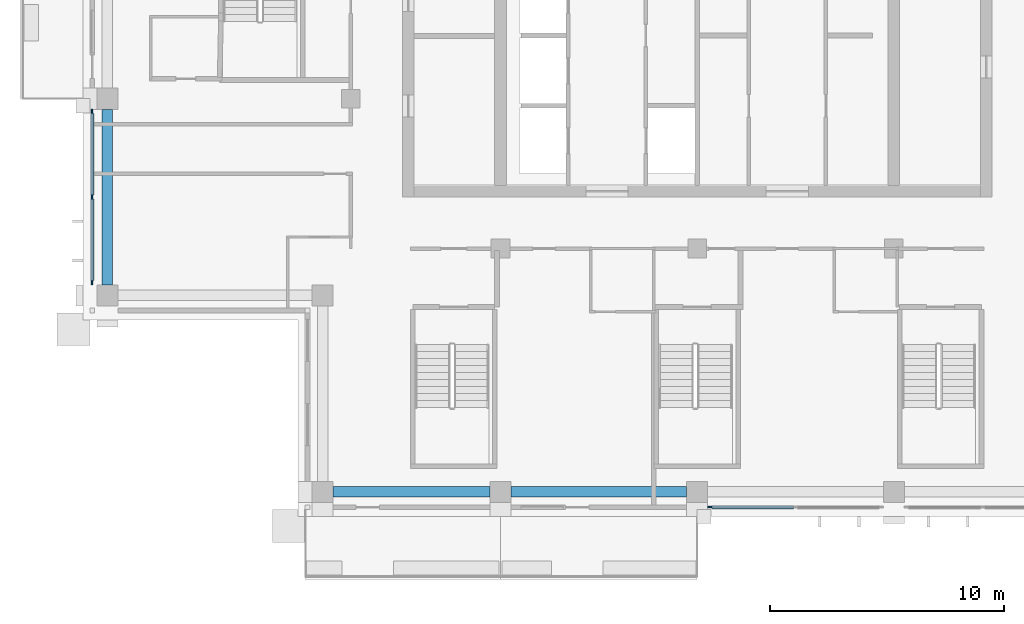
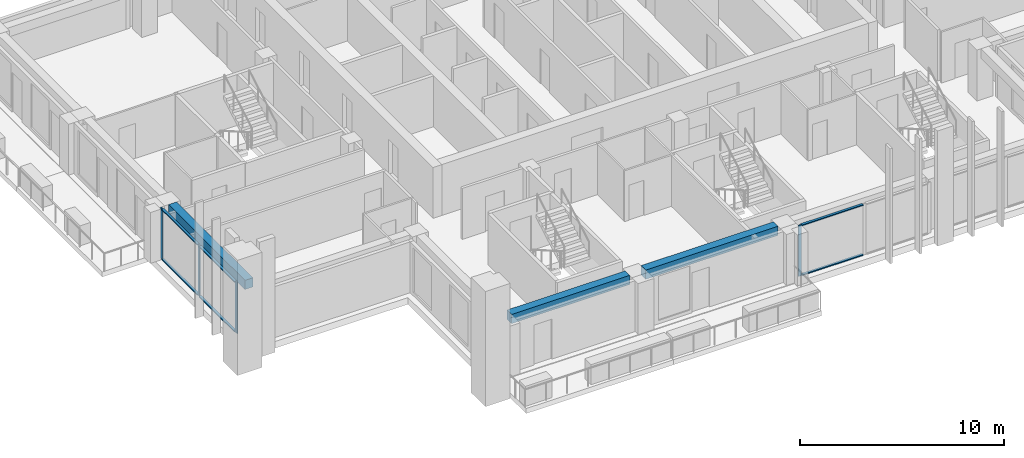
# One storey, part 2 of 16: 10 members, 3 beams, 2 elements without a shape of their own.
"""IFC4 building model written with IfcOpenShell, lengths in metres."""

from ifc_helpers import new_model, si_unit, direction, frame, origin, origin_2d, place, context, subcontext, project, spatial, rectangle, extrude, material, material_profile, profile_set, type_object, element, aggregate, save


model = new_model("IFC4")

# Units and contexts
model_context = context("Model", 3, precision=1e-05, world=origin(), true_north=direction((0.0, 1.0)))
body_context = subcontext(model_context, "Body", "Model", "MODEL_VIEW")
ifc_project = project(units=[si_unit("LENGTHUNIT", "METRE"), si_unit("AREAUNIT", "SQUARE_METRE"), si_unit("VOLUMEUNIT", "CUBIC_METRE"), si_unit("PLANEANGLEUNIT", "RADIAN"), si_unit("MASSUNIT", "GRAM", prefix="KILO")], contexts=[model_context])

# Site, building, storey
site_placement = place(None, origin())
site = spatial("IfcSite", under=ifc_project, at=site_placement, CompositionType="ELEMENT")
building_placement = place(site_placement, origin())
building = spatial("IfcBuilding", under=site, at=building_placement, Name="Vermilion Ogive Tower", CompositionType="ELEMENT")
storey_placement = place(building_placement, frame((0.0, 0.0, 247.60009765625)))
storey = spatial("IfcBuildingStorey", under=building, at=storey_placement, Name="L65", CompositionType="ELEMENT", Elevation=247.60009765625)

# Curtain wall, member
ifc_material_1 = material(Name="Low-iron laminated glazing in aluminium frame", Category="aluminium")
curtain_wall_type = type_object("IfcCurtainWallType", Name="Curtain wall CW7", PredefinedType="NOTDEFINED", material=ifc_material_1)
curtain_wall_1_placement = place(storey_placement, origin())
curtain_wall_1 = element("IfcCurtainWall", 1, at=curtain_wall_1_placement, inside=storey, type_object=curtain_wall_type, Name="Glazed skin S3", PredefinedType="NOTDEFINED")
ifc_material_2 = material(Name="Aluminium mullion", Category="aluminium")
ifc_material_profile_1 = material_profile(ifc_material_2, rectangle(XDim=0.06005859375, YDim=0.179931640625, at=origin_2d()), Name="AL 60x180")
ifc_profile_set_1 = profile_set([ifc_material_profile_1], Name="Aluminium mullion")
member_type_1 = type_object("IfcMemberType", Name="CW7 mullion 60x180", PredefinedType="MULLION", material=ifc_profile_set_1)
member_1_placement = place(storey_placement, frame((0.5400390625, -21.64990234375, 0.0), z_axis=(0.0, 0.0, 1.0), x_axis=(0.0, 1.0, 0.0)))
member_1 = element("IfcMember", 2, at=member_1_placement, type_object=member_type_1, Name="CW7-S3 mullion 1", PredefinedType="MULLION", context=body_context, shape_type="SweptSolid", body=[
    extrude(rectangle(XDim=0.06005859375, YDim=0.179931640625, at=origin_2d()), origin(), (0.0, 0.0, 1.0), 3.0498046875),
])

# Curtain wall, members
curtain_wall_2_placement = place(storey_placement, origin())
curtain_wall_2 = element("IfcCurtainWall", 3, at=curtain_wall_2_placement, inside=storey, type_object=curtain_wall_type, Name="Glazed skin W3", PredefinedType="NOTDEFINED")
member_2_placement = place(storey_placement, frame((-25.85009765625, -4.739990234375, 0.0), z_axis=(0.0, 0.0, 1.0), x_axis=(1.0, 0.0, 0.0)))
member_2 = element("IfcMember", 4, at=member_2_placement, type_object=member_type_1, Name="CW7-W3 mullion 1", PredefinedType="MULLION", context=body_context, shape_type="SweptSolid", body=[
    extrude(rectangle(XDim=0.06005859375, YDim=0.179931640625, at=origin_2d()), origin(), (0.0, 0.0, 1.0), 3.0498046875),
])
member_3_placement = place(storey_placement, frame((-25.85009765625, -8.39990234375, 0.0), z_axis=(0.0, 0.0, 1.0), x_axis=(1.0, 0.0, 0.0)))
member_3 = element("IfcMember", 5, at=member_3_placement, type_object=member_type_1, Name="CW7-W3 mullion 2", PredefinedType="MULLION", context=body_context, shape_type="SweptSolid", body=[
    extrude(rectangle(XDim=0.06005859375, YDim=0.179931640625, at=origin_2d()), origin(), (0.0, 0.0, 1.0), 3.0498046875),
])
member_4_placement = place(storey_placement, frame((-25.85009765625, -12.06005859375, 0.0), z_axis=(0.0, 0.0, 1.0), x_axis=(1.0, 0.0, 0.0)))
member_4 = element("IfcMember", 6, at=member_4_placement, type_object=member_type_1, Name="CW7-W3 mullion 3", PredefinedType="MULLION", context=body_context, shape_type="SweptSolid", body=[
    extrude(rectangle(XDim=0.06005859375, YDim=0.179931640625, at=origin_2d()), origin(), (0.0, 0.0, 1.0), 3.0498046875),
])

# Member
ifc_material_3 = material(Name="Aluminium transom", Category="aluminium")
ifc_material_profile_2 = material_profile(ifc_material_3, rectangle(XDim=0.139892578125, YDim=0.06005859375, at=origin_2d()), Name="AL 60x140")
ifc_profile_set_2 = profile_set([ifc_material_profile_2], Name="Aluminium transom")
member_type_2 = type_object("IfcMemberType", Name="CW7 transom 60x140", PredefinedType="USERDEFINED", material=ifc_profile_set_2)
member_5_placement = place(storey_placement, frame((0.6298828125, -21.64990234375, 0.02978515625), z_axis=(1.0, 0.0, 0.0), x_axis=(0.0, 1.0, 0.0)))
member_5 = element("IfcMember", 7, at=member_5_placement, type_object=member_type_2, Name="CW7-S3 transom 1.1", ObjectType="TRANSOM", PredefinedType="USERDEFINED", context=body_context, shape_type="SweptSolid", body=[
    extrude(rectangle(XDim=0.139892578125, YDim=0.06005859375, at=origin_2d()), origin(), (0.0, 0.0, 1.0), 3.480224609375),
])

member_6_placement = place(storey_placement, frame((0.6298828125, -21.64990234375, 3.02001953125), z_axis=(1.0, 0.0, 0.0), x_axis=(0.0, 1.0, 0.0)))
member_6 = element("IfcMember", 8, at=member_6_placement, type_object=member_type_2, Name="CW7-S3 transom 1.2", ObjectType="TRANSOM", PredefinedType="USERDEFINED", context=body_context, shape_type="SweptSolid", body=[
    extrude(rectangle(XDim=0.139892578125, YDim=0.06005859375, at=origin_2d()), origin(), (0.0, 0.0, 1.0), 3.480224609375),
])

aggregate(curtain_wall_1, [member_1, member_5, member_6])

member_7_placement = place(storey_placement, frame((-25.85009765625, -4.830078125, 0.02978515625), z_axis=(0.0, -1.0, 0.0), x_axis=(1.0, 0.0, 0.0)))
member_7 = element("IfcMember", 9, at=member_7_placement, type_object=member_type_2, Name="CW7-W3 transom 1.1", ObjectType="TRANSOM", PredefinedType="USERDEFINED", context=body_context, shape_type="SweptSolid", body=[
    extrude(rectangle(XDim=0.139892578125, YDim=0.06005859375, at=origin_2d()), origin(), (0.0, 0.0, 1.0), 3.47998046875),
])

member_8_placement = place(storey_placement, frame((-25.85009765625, -4.830078125, 3.02001953125), z_axis=(0.0, -1.0, 0.0), x_axis=(1.0, 0.0, 0.0)))
member_8 = element("IfcMember", 10, at=member_8_placement, type_object=member_type_2, Name="CW7-W3 transom 1.2", ObjectType="TRANSOM", PredefinedType="USERDEFINED", context=body_context, shape_type="SweptSolid", body=[
    extrude(rectangle(XDim=0.139892578125, YDim=0.06005859375, at=origin_2d()), origin(), (0.0, 0.0, 1.0), 3.47998046875),
])

member_9_placement = place(storey_placement, frame((-25.85009765625, -8.489990234375, 0.02978515625), z_axis=(0.0, -1.0, 0.0), x_axis=(1.0, 0.0, 0.0)))
member_9 = element("IfcMember", 11, at=member_9_placement, type_object=member_type_2, Name="CW7-W3 transom 2.1", ObjectType="TRANSOM", PredefinedType="USERDEFINED", context=body_context, shape_type="SweptSolid", body=[
    extrude(rectangle(XDim=0.139892578125, YDim=0.06005859375, at=origin_2d()), origin(), (0.0, 0.0, 1.0), 3.47998046875),
])

member_10_placement = place(storey_placement, frame((-25.85009765625, -8.489990234375, 3.02001953125), z_axis=(0.0, -1.0, 0.0), x_axis=(1.0, 0.0, 0.0)))
member_10 = element("IfcMember", 12, at=member_10_placement, type_object=member_type_2, Name="CW7-W3 transom 2.2", ObjectType="TRANSOM", PredefinedType="USERDEFINED", context=body_context, shape_type="SweptSolid", body=[
    extrude(rectangle(XDim=0.139892578125, YDim=0.06005859375, at=origin_2d()), origin(), (0.0, 0.0, 1.0), 3.47998046875),
])

aggregate(curtain_wall_2, [member_2, member_3, member_4, member_7, member_8, member_9, member_10])

# Beams
ifc_material_4 = material(Name="Concrete B45", Category="concrete")
ifc_material_profile_3 = material_profile(ifc_material_4, rectangle(XDim=0.449951171875, YDim=0.550048828125, at=origin_2d()), Name="450 x 550")
ifc_profile_set_3 = profile_set([ifc_material_profile_3], Name="Concrete B45")
beam_type = type_object("IfcBeamType", Name="Edge beam 450 x 550 B45", PredefinedType="BEAM", material=ifc_profile_set_3)
beam_placement = place(storey_placement, frame((-15.550048828125, -21.0, 2.77490234375), z_axis=(1.0, 0.0, 0.0), x_axis=(0.0, 1.0, 0.0)))
element("IfcBeam", 13, at=beam_placement, inside=storey, type_object=beam_type, Name="L65-EB-1", PredefinedType="BEAM", context=body_context, shape_type="SweptSolid", body=[
    extrude(rectangle(XDim=0.449951171875, YDim=0.550048828125, at=origin_2d()), origin(), (0.0, 0.0, 1.0), 6.699951171875),
])
for number, where, z_axis, x_axis, name in (
    (14, (-7.949951171875, -21.0, 2.77490234375), (1.0, 0.0, 0.0), (0.0, 1.0, 0.0), "L65-EB-2"),
    (15, (-25.199951171875, -4.64990234375, 2.77490234375), (0.0, -1.0, 0.0), (1.0, 0.0, 0.0), "L65-EB-16"),
):
    element("IfcBeam", number, at=place(storey_placement, frame(where, z_axis=z_axis, x_axis=x_axis)), inside=storey, type_object=beam_type, Name=name, PredefinedType="BEAM", context=body_context, shape_type="SweptSolid", body=[
        extrude(rectangle(XDim=0.449951171875, YDim=0.550048828125, at=origin_2d()), origin(), (0.0, 0.0, 1.0), 7.5),
    ])

save(model, "model.ifc")
